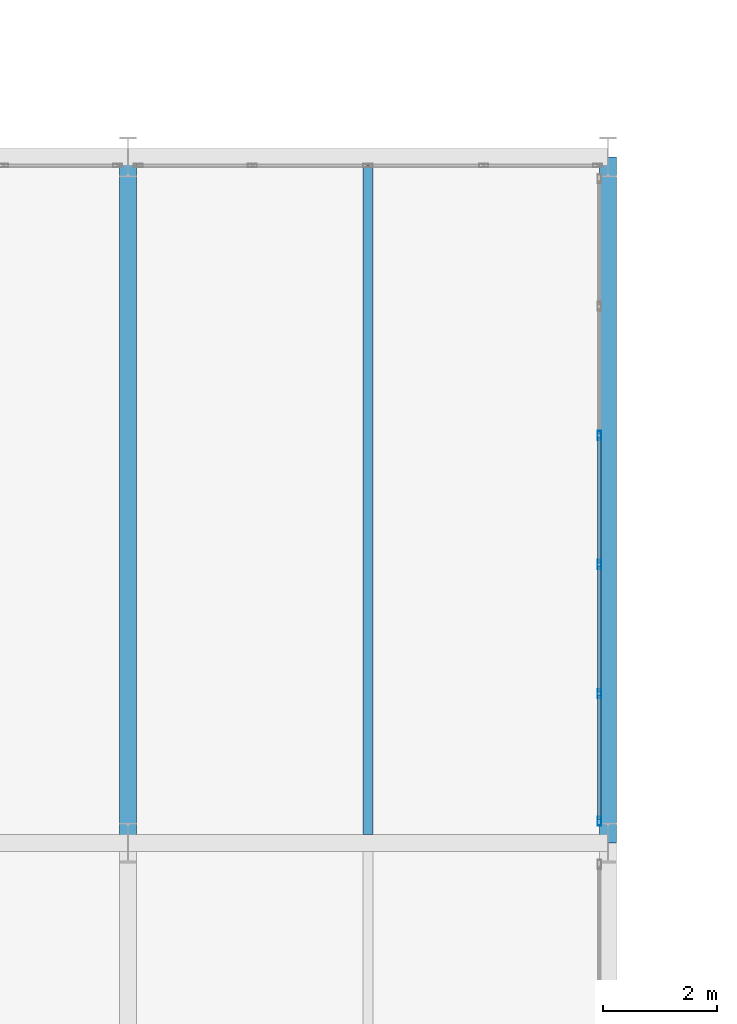
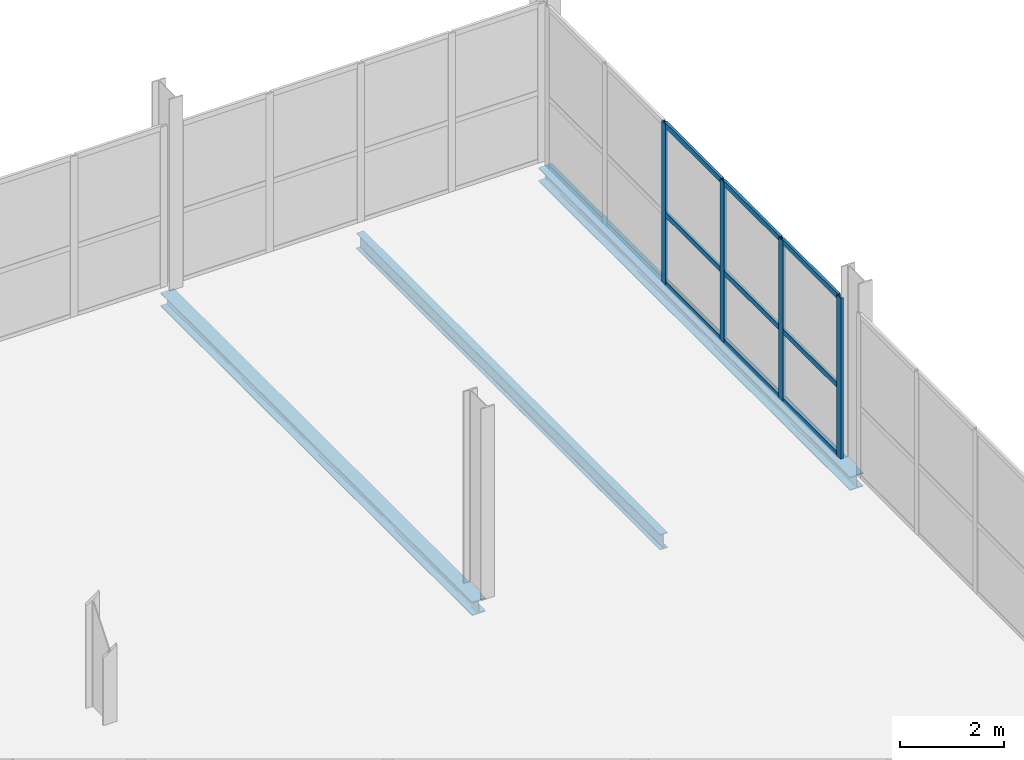
# One storey, part 58 of 113: 13 members, 3 beams, 1 element without a shape of its own.
"""IFC4 building model written with IfcOpenShell, lengths in metres."""

from ifc_helpers import new_model, si_unit, direction, frame, origin, origin_2d, place, context, subcontext, project, spatial, hollow_rectangle, i_section, extrude, material, material_profile, profile_set, type_object, element, aggregate, save


model = new_model("IFC4")

# Units and contexts
model_context = context("Model", 3, precision=1e-05, world=origin(), true_north=direction((0.0, 1.0)))
body_context = subcontext(model_context, "Body", "Model", "MODEL_VIEW")
ifc_project = project(units=[si_unit("LENGTHUNIT", "METRE"), si_unit("AREAUNIT", "SQUARE_METRE"), si_unit("VOLUMEUNIT", "CUBIC_METRE"), si_unit("PLANEANGLEUNIT", "RADIAN"), si_unit("MASSUNIT", "GRAM", prefix="KILO")], contexts=[model_context])

# Site, building, storey
site_placement = place(None, origin())
site = spatial("IfcSite", under=ifc_project, at=site_placement, CompositionType="ELEMENT")
building_placement = place(site_placement, origin())
building = spatial("IfcBuilding", under=site, at=building_placement, Name="Veltarok Museum of Natural Sciences", CompositionType="ELEMENT")
storey_placement = place(building_placement, frame((0.0, 0.0, 8.39990234375)))
storey = spatial("IfcBuildingStorey", under=building, at=storey_placement, Name="L01", CompositionType="ELEMENT", Elevation=8.39990234375)

# Curtain wall, members
ifc_material_1 = material(Name="Low-iron triple insulated glass", Category="glass")
curtain_wall_type = type_object("IfcCurtainWallType", Name="Curtain Wall System CW-V2E-L01-2-1130x378 (CW-V2E L01 1130x378cm)", PredefinedType="NOTDEFINED", material=ifc_material_1)
curtain_wall_placement = place(storey_placement, origin())
curtain_wall = element("IfcCurtainWall", 1, at=curtain_wall_placement, inside=storey, type_object=curtain_wall_type, Name="Curtain Wall CW-V2E-L01-2-1130x378 CW-0130", PredefinedType="NOTDEFINED")
ifc_material_2 = material(Name="Thermally broken anodised aluminium", Category="aluminium")
ifc_material_profile_1 = material_profile(ifc_material_2, hollow_rectangle(XDim=0.06005859375, YDim=0.1201171875, WallThickness=0.0048828125, at=origin_2d()), Name="CW TRANSOM 60x120x5")
ifc_profile_set_1 = profile_set([ifc_material_profile_1], Name="Thermally broken anodised aluminium")
member_type_1 = type_object("IfcMemberType", Name="Curtain Wall Horizontal Transom 60x120x5", PredefinedType="USERDEFINED", material=ifc_profile_set_1)
member_1_placement = place(storey_placement, frame((98.64990234375, 60.409912109375, 0.028076171875), z_axis=(0.0, 1.0, 0.0), x_axis=(-1.0, 0.0, 0.0)))
member_1 = element("IfcMember", 2, at=member_1_placement, type_object=member_type_1, Name="CW-V2E-L01-2-1130x378 transom 1.1", ObjectType="TRANSOM", PredefinedType="USERDEFINED", context=body_context, shape_type="SweptSolid", body=[
    extrude(hollow_rectangle(XDim=0.06005859375, YDim=0.1201171875, WallThickness=0.0048828125, at=origin_2d()), origin(), (0.0, 0.0, 1.0), 2.170166015625),
])
member_2_placement = place(storey_placement, frame((98.64990234375, 60.409912109375, 1.648193359375), z_axis=(0.0, 1.0, 0.0), x_axis=(-1.0, 0.0, 0.0)))
member_2 = element("IfcMember", 3, at=member_2_placement, type_object=member_type_1, Name="CW-V2E-L01-2-1130x378 transom 1.2", ObjectType="TRANSOM", PredefinedType="USERDEFINED", context=body_context, shape_type="SweptSolid", body=[
    extrude(hollow_rectangle(XDim=0.06005859375, YDim=0.1201171875, WallThickness=0.0048828125, at=origin_2d()), origin(), (0.0, 0.0, 1.0), 2.170166015625),
])
member_3_placement = place(storey_placement, frame((98.64990234375, 60.409912109375, 3.75), z_axis=(0.0, 1.0, 0.0), x_axis=(-1.0, 0.0, 0.0)))
member_3 = element("IfcMember", 4, at=member_3_placement, type_object=member_type_1, Name="CW-V2E-L01-2-1130x378 transom 1.3", ObjectType="TRANSOM", PredefinedType="USERDEFINED", context=body_context, shape_type="SweptSolid", body=[
    extrude(hollow_rectangle(XDim=0.06005859375, YDim=0.1201171875, WallThickness=0.0048828125, at=origin_2d()), origin(), (0.0, 0.0, 1.0), 2.170166015625),
])
member_4_placement = place(storey_placement, frame((98.64990234375, 62.639892578125, 0.028076171875), z_axis=(0.0, 1.0, 0.0), x_axis=(-1.0, 0.0, 0.0)))
member_4 = element("IfcMember", 5, at=member_4_placement, type_object=member_type_1, Name="CW-V2E-L01-2-1130x378 transom 2.1", ObjectType="TRANSOM", PredefinedType="USERDEFINED", context=body_context, shape_type="SweptSolid", body=[
    extrude(hollow_rectangle(XDim=0.06005859375, YDim=0.1201171875, WallThickness=0.0048828125, at=origin_2d()), origin(), (0.0, 0.0, 1.0), 2.2001953125),
])
member_5_placement = place(storey_placement, frame((98.64990234375, 62.639892578125, 1.648193359375), z_axis=(0.0, 1.0, 0.0), x_axis=(-1.0, 0.0, 0.0)))
member_5 = element("IfcMember", 6, at=member_5_placement, type_object=member_type_1, Name="CW-V2E-L01-2-1130x378 transom 2.2", ObjectType="TRANSOM", PredefinedType="USERDEFINED", context=body_context, shape_type="SweptSolid", body=[
    extrude(hollow_rectangle(XDim=0.06005859375, YDim=0.1201171875, WallThickness=0.0048828125, at=origin_2d()), origin(), (0.0, 0.0, 1.0), 2.2001953125),
])
member_6_placement = place(storey_placement, frame((98.64990234375, 62.639892578125, 3.75), z_axis=(0.0, 1.0, 0.0), x_axis=(-1.0, 0.0, 0.0)))
member_6 = element("IfcMember", 7, at=member_6_placement, type_object=member_type_1, Name="CW-V2E-L01-2-1130x378 transom 2.3", ObjectType="TRANSOM", PredefinedType="USERDEFINED", context=body_context, shape_type="SweptSolid", body=[
    extrude(hollow_rectangle(XDim=0.06005859375, YDim=0.1201171875, WallThickness=0.0048828125, at=origin_2d()), origin(), (0.0, 0.0, 1.0), 2.2001953125),
])
member_7_placement = place(storey_placement, frame((98.64990234375, 64.89990234375, 0.028076171875), z_axis=(0.0, 1.0, 0.0), x_axis=(-1.0, 0.0, 0.0)))
member_7 = element("IfcMember", 8, at=member_7_placement, type_object=member_type_1, Name="CW-V2E-L01-2-1130x378 transom 3.1", ObjectType="TRANSOM", PredefinedType="USERDEFINED", context=body_context, shape_type="SweptSolid", body=[
    extrude(hollow_rectangle(XDim=0.06005859375, YDim=0.1201171875, WallThickness=0.0048828125, at=origin_2d()), origin(), (0.0, 0.0, 1.0), 2.2001953125),
])
member_8_placement = place(storey_placement, frame((98.64990234375, 64.89990234375, 1.648193359375), z_axis=(0.0, 1.0, 0.0), x_axis=(-1.0, 0.0, 0.0)))
member_8 = element("IfcMember", 9, at=member_8_placement, type_object=member_type_1, Name="CW-V2E-L01-2-1130x378 transom 3.2", ObjectType="TRANSOM", PredefinedType="USERDEFINED", context=body_context, shape_type="SweptSolid", body=[
    extrude(hollow_rectangle(XDim=0.06005859375, YDim=0.1201171875, WallThickness=0.0048828125, at=origin_2d()), origin(), (0.0, 0.0, 1.0), 2.2001953125),
])
member_9_placement = place(storey_placement, frame((98.64990234375, 64.89990234375, 3.75), z_axis=(0.0, 1.0, 0.0), x_axis=(-1.0, 0.0, 0.0)))
member_9 = element("IfcMember", 10, at=member_9_placement, type_object=member_type_1, Name="CW-V2E-L01-2-1130x378 transom 3.3", ObjectType="TRANSOM", PredefinedType="USERDEFINED", context=body_context, shape_type="SweptSolid", body=[
    extrude(hollow_rectangle(XDim=0.06005859375, YDim=0.1201171875, WallThickness=0.0048828125, at=origin_2d()), origin(), (0.0, 0.0, 1.0), 2.2001953125),
])
ifc_material_profile_2 = material_profile(ifc_material_2, hollow_rectangle(XDim=0.06005859375, YDim=0.159912109375, WallThickness=0.0048828125, at=origin_2d()), Name="CW MULLION 60x160x5")
ifc_profile_set_2 = profile_set([ifc_material_profile_2], Name="Thermally broken anodised aluminium")
member_type_2 = type_object("IfcMemberType", Name="Curtain Wall Vertical Mullion 60x160x5", PredefinedType="MULLION", material=ifc_profile_set_2)
member_10_placement = place(storey_placement, frame((98.64990234375, 60.3798828125, -0.001953125), z_axis=(0.0, 0.0, 1.0), x_axis=(-1.0, 0.0, 0.0)))
member_10 = element("IfcMember", 11, at=member_10_placement, type_object=member_type_2, Name="CW-V2E-L01-2-1130x378 mullion 1", PredefinedType="MULLION", context=body_context, shape_type="SweptSolid", body=[
    extrude(hollow_rectangle(XDim=0.06005859375, YDim=0.159912109375, WallThickness=0.0048828125, at=origin_2d()), origin(), (0.0, 0.0, 1.0), 3.781982421875),
])
member_11_placement = place(storey_placement, frame((98.64990234375, 62.610107421875, -0.001953125), z_axis=(0.0, 0.0, 1.0), x_axis=(-1.0, 0.0, 0.0)))
member_11 = element("IfcMember", 12, at=member_11_placement, type_object=member_type_2, Name="CW-V2E-L01-2-1130x378 mullion 2", PredefinedType="MULLION", context=body_context, shape_type="SweptSolid", body=[
    extrude(hollow_rectangle(XDim=0.06005859375, YDim=0.159912109375, WallThickness=0.0048828125, at=origin_2d()), origin(), (0.0, 0.0, 1.0), 3.781982421875),
])
member_12_placement = place(storey_placement, frame((98.64990234375, 64.8701171875, -0.001953125), z_axis=(0.0, 0.0, 1.0), x_axis=(-1.0, 0.0, 0.0)))
member_12 = element("IfcMember", 13, at=member_12_placement, type_object=member_type_2, Name="CW-V2E-L01-2-1130x378 mullion 3", PredefinedType="MULLION", context=body_context, shape_type="SweptSolid", body=[
    extrude(hollow_rectangle(XDim=0.06005859375, YDim=0.159912109375, WallThickness=0.0048828125, at=origin_2d()), origin(), (0.0, 0.0, 1.0), 3.781982421875),
])
member_13_placement = place(storey_placement, frame((98.64990234375, 67.1298828125, -0.001953125), z_axis=(0.0, 0.0, 1.0), x_axis=(-1.0, 0.0, 0.0)))
member_13 = element("IfcMember", 14, at=member_13_placement, type_object=member_type_2, Name="CW-V2E-L01-2-1130x378 mullion 4", PredefinedType="MULLION", context=body_context, shape_type="SweptSolid", body=[
    extrude(hollow_rectangle(XDim=0.06005859375, YDim=0.159912109375, WallThickness=0.0048828125, at=origin_2d()), origin(), (0.0, 0.0, 1.0), 3.781982421875),
])
aggregate(curtain_wall, [member_10, member_11, member_12, member_13, member_1, member_2, member_3, member_4, member_5, member_6, member_7, member_8, member_9])

# Beams
ifc_material_3 = material(Name="Steel S355J2", Category="steel")
ifc_material_profile_3 = material_profile(ifc_material_3, i_section(OverallWidth=0.169921875, OverallDepth=0.360107421875, WebThickness=0.008056640625, FlangeThickness=0.0126953125, FilletRadius=0.01806640625, at=origin_2d()), Name="IPE 360")
ifc_profile_set_3 = profile_set([ifc_material_profile_3], Name="Steel S355J2")
beam_type_1 = type_object("IfcBeamType", Name="Long-Bay Composite Joist IPE 360", PredefinedType="JOIST", material=ifc_profile_set_3)
beam_placement = place(storey_placement, frame((94.60009765625, 60.14794921875, -0.429931640625), z_axis=(0.0, 1.0, 0.0), x_axis=(-1.0, 0.0, 0.0)))
element("IfcBeam", 15, at=beam_placement, inside=storey, type_object=beam_type_1, Name="Secondary Joist BM-J01 L01 11-12/G-H.1", PredefinedType="JOIST", context=body_context, shape_type="SweptSolid", body=[
    extrude(i_section(OverallWidth=0.169921875, OverallDepth=0.360107421875, WebThickness=0.008056640625, FlangeThickness=0.0126953125, FilletRadius=0.01806640625, at=origin_2d()), origin(), (0.0, 0.0, 1.0), 11.7041015625),
])
ifc_material_profile_4 = material_profile(ifc_material_3, i_section(OverallWidth=0.300048828125, OverallDepth=0.320068359375, WebThickness=0.011474609375, FlangeThickness=0.0205078125, FilletRadius=0.027099609375, at=origin_2d()), Name="HEB 320")
ifc_profile_set_4 = profile_set([ifc_material_profile_4], Name="Steel S355J2")
beam_type_2 = type_object("IfcBeamType", Name="Perimeter Sawtooth Spandrel HEB 320", PredefinedType="SPANDREL", material=ifc_profile_set_4)
for number, where, z_axis, x_axis, name in (
    (16, (90.39990234375, 60.0, -0.409912109375), (0.0, 1.0, 0.0), (-1.0, 0.0, 0.0), "Beam BM-SP06 L01 11/G-H"),
    (17, (98.800048828125, 60.0, -0.409912109375), (0.0, 1.0, 0.0), (-1.0, 0.0, 0.0), "Beam BM-SP06 L01 12/G-H"),
):
    element("IfcBeam", number, at=place(storey_placement, frame(where, z_axis=z_axis, x_axis=x_axis)), inside=storey, type_object=beam_type_2, Name=name, PredefinedType="SPANDREL", context=body_context, shape_type="SweptSolid", body=[
        extrude(i_section(OverallWidth=0.300048828125, OverallDepth=0.320068359375, WebThickness=0.011474609375, FlangeThickness=0.0205078125, FilletRadius=0.027099609375, at=origin_2d()), origin(), (0.0, 0.0, 1.0), 12.0),
    ])

save(model, "model.ifc")
